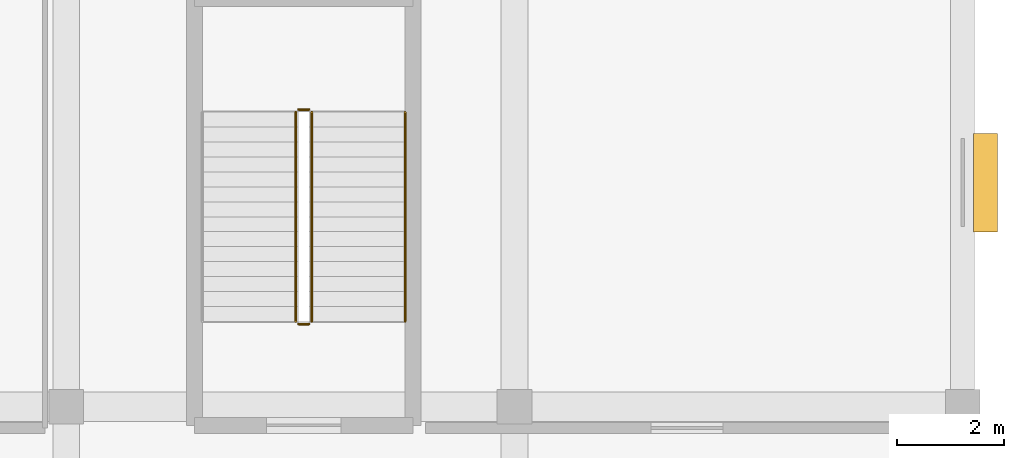
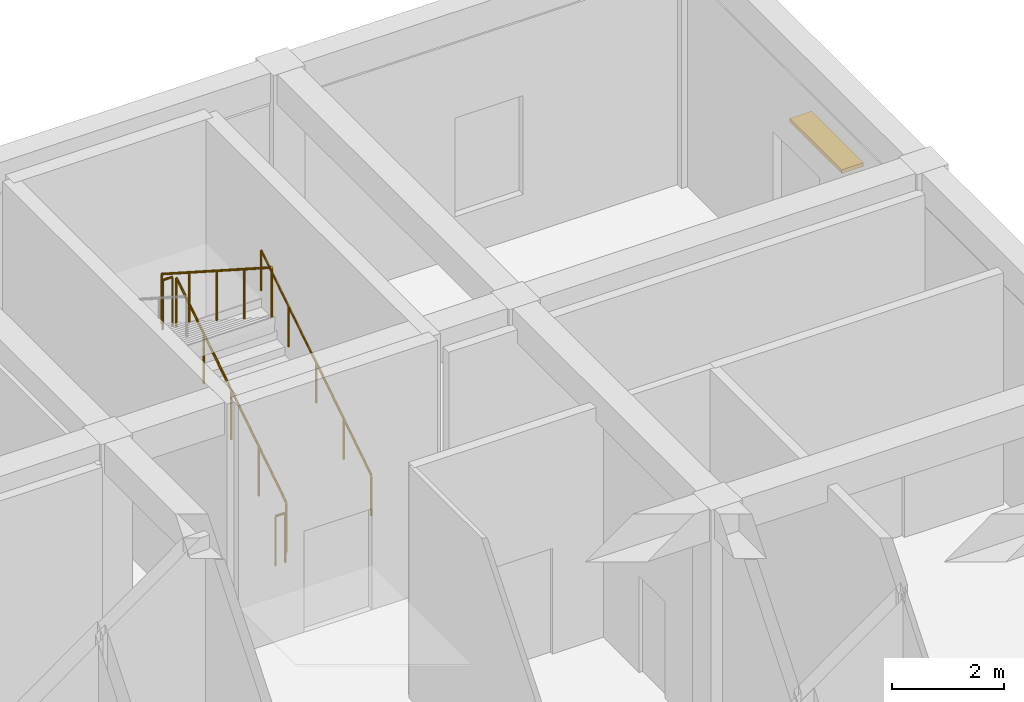
# One storey, part 157 of 157: 5 railings, 1 shading device.
"""IFC4 building model written with IfcOpenShell, lengths in metres."""

import ifcopenshell
import ifcopenshell.guid

model = None  # the IFC model being written
_history = None  # IfcOwnerHistory: only IFC2X3 demands one
_inside = {}  # id of a spatial element -> (the spatial element, [elements in it])
_under = {}  # id of a project, library or spatial element -> (it, [spatial elements below it])
_declared = {}  # id of a project -> (the project, [libraries it declares])
_typed = {}  # id of a type object -> (the type object, [elements of that type])
_made_of = {}  # id of a material, layer set ... -> (it, [elements and type objects made of it])


def new_model(schema):
    """Start an empty IFC model of exactly this schema.

    Asked for "IFC4X3", IfcOpenShell would pick the latest addendum, in which some entities
    have other attributes; the version numbers below select the first issue.
    IFC2X3 requires an IfcOwnerHistory on every rooted entity: one is made here for all.
    """
    global model, _history
    if schema == "IFC4X3":
        model = ifcopenshell.file(schema_version=(4, 3, 0, 0))
    else:
        model = ifcopenshell.file(schema=schema)
    _inside.clear()
    _under.clear()
    _declared.clear()
    _typed.clear()
    _made_of.clear()
    _history = None
    if model.schema == "IFC2X3":
        org = make("IfcOrganization", Name="unknown")
        user = make(
            "IfcPersonAndOrganization",
            ThePerson=make("IfcPerson", FamilyName="unknown"),
            TheOrganization=org,
        )
        app = make(
            "IfcApplication",
            ApplicationDeveloper=org,
            Version="unknown",
            ApplicationFullName="unknown",
            ApplicationIdentifier="unknown",
        )
        _history = make(
            "IfcOwnerHistory",
            OwningUser=user,
            OwningApplication=app,
            ChangeAction="ADDED",
            CreationDate=0,
        )
    return model


def make(cls, **values):
    """One entity of the class cls with the attributes given. An attribute that is None is left unset."""
    return model.create_entity(
        cls, **{name: value for name, value in values.items() if value is not None}
    )


def rooted(cls, **values):
    """An entity with a GlobalId (a new one), such as an element, a storey or a relation."""
    return make(cls, GlobalId=ifcopenshell.guid.new(), OwnerHistory=_history, **values)


def si_unit(unit_type, name, prefix=None):
    """IfcSIUnit, for example si_unit("LENGTHUNIT", "METRE", prefix="MILLI")."""
    return make("IfcSIUnit", UnitType=unit_type, Prefix=prefix, Name=name)


def assignment(units):
    """IfcUnitAssignment: the units of a project."""
    return None if units is None else make("IfcUnitAssignment", Units=units)


def point(xyz):
    """IfcCartesianPoint."""
    return None if xyz is None else make("IfcCartesianPoint", Coordinates=xyz)


def direction(xyz):
    """IfcDirection."""
    return None if xyz is None else make("IfcDirection", DirectionRatios=xyz)


def frame(location, z_axis=None, x_axis=None):
    """IfcAxis2Placement3D, a coordinate frame: its origin and axes. An axis left out is left unset."""
    return make(
        "IfcAxis2Placement3D",
        Location=point(location),
        Axis=direction(z_axis),
        RefDirection=direction(x_axis),
    )


def frame_2d(location, x_axis=None):
    """IfcAxis2Placement2D, a coordinate frame in the plane: its origin and x axis."""
    return make(
        "IfcAxis2Placement2D", Location=point(location), RefDirection=direction(x_axis)
    )


def origin():
    """The frame at (0, 0, 0) with its axes left unset."""
    return frame((0.0, 0.0, 0.0))


def origin_2d():
    """The frame at (0, 0) in the plane with its x axis left unset."""
    return frame_2d((0.0, 0.0))


def place(relative_to, where):
    """IfcLocalPlacement: puts the frame where relative to a parent placement (None: the world)."""
    return make(
        "IfcLocalPlacement", PlacementRelTo=relative_to, RelativePlacement=where
    )


def context(
    kind, dimensions, precision=None, world=None, true_north=None, identifier=None
):
    """IfcGeometricRepresentationContext, for example the 3D "Model" context."""
    return make(
        "IfcGeometricRepresentationContext",
        ContextIdentifier=identifier,
        ContextType=kind,
        CoordinateSpaceDimension=dimensions,
        Precision=precision,
        WorldCoordinateSystem=world,
        TrueNorth=true_north,
    )


def subcontext(parent, identifier, kind, view, scale=None):
    """IfcGeometricRepresentationSubContext, for example "Body" below "Model"."""
    return make(
        "IfcGeometricRepresentationSubContext",
        ContextIdentifier=identifier,
        ContextType=kind,
        ParentContext=parent,
        TargetScale=scale,
        TargetView=view,
    )


def project(units=None, contexts=None):
    """IfcProject with its units and contexts."""
    return rooted(
        "IfcProject",
        Name="project",
        RepresentationContexts=contexts,
        UnitsInContext=assignment(units),
    )


def spatial(cls, under=None, at=None, **own):
    """A site, building, storey or space (cls), placed at a placement, below another one or the project."""
    s = rooted(cls, ObjectPlacement=at, **own)
    if under is not None:
        _under.setdefault(under.id(), (under, []))[1].append(s)
    return s


def profile(cls, at=None, kind="AREA", **sizes):
    """A parametric profile (cls). Its sizes go by their IFC names, for example OverallWidth=200.0."""
    return make(cls, ProfileType=kind, Position=at, **sizes)


def rectangle(**sizes):
    """IfcRectangleProfileDef."""
    return profile("IfcRectangleProfileDef", **sizes)


def circle(**sizes):
    """IfcCircleProfileDef."""
    return profile("IfcCircleProfileDef", **sizes)


def extrude(swept, where, along, depth):
    """IfcExtrudedAreaSolid: the profile swept, set in the frame where, extruded along a direction by depth."""
    return make(
        "IfcExtrudedAreaSolid",
        SweptArea=swept,
        Position=where,
        ExtrudedDirection=direction(along),
        Depth=depth,
    )


def shape(context_of_items, identifier, shape_type, items):
    """IfcShapeRepresentation: the items that make up one representation, for example the "Body"."""
    return make(
        "IfcShapeRepresentation",
        ContextOfItems=context_of_items,
        RepresentationIdentifier=identifier,
        RepresentationType=shape_type,
        Items=items,
    )


def material(Name=None, Category=None):
    """IfcMaterial."""
    return make("IfcMaterial", Name=Name, Category=Category)


def layer(
    of_material, thickness, ventilated=None, Name=None, Category=None, Priority=None
):
    """IfcMaterialLayer: one layer of a wall or slab, of a material (None: an air gap)."""
    return make(
        "IfcMaterialLayer",
        Material=of_material,
        LayerThickness=thickness,
        IsVentilated=ventilated,
        Name=Name,
        Category=Category,
        Priority=Priority,
    )


def layer_set(layers, Name=None):
    """IfcMaterialLayerSet."""
    return make("IfcMaterialLayerSet", MaterialLayers=layers, LayerSetName=Name)


def made_of(thing, what):
    """Note that an element or type object is made of a material, layer set ...; save() writes the relation."""
    if what is not None:
        _made_of.setdefault(what.id(), (what, []))[1].append(thing)
    return thing


def type_object(cls, material=None, **own):
    """A type object (cls), such as IfcWallType, which elements share."""
    return made_of(rooted(cls, **own), material)


def element(
    cls,
    number,
    at=None,
    inside=None,
    cuts=None,
    type_object=None,
    material=None,
    context=None,
    identifier="Body",
    shape_type=None,
    held_by="IfcProductDefinitionShape",
    body=None,
    shapes=None,
    **own,
):
    """One element of the class cls, such as IfcWall. Its Tag is "e" and its number.

    at: its placement. inside: the storey or other place that contains it. cuts: it is an
    opening in that element (IfcRelVoidsElement). A single representation is given by context,
    identifier, shape_type and body (its items); several are given by shapes. held_by: the class
    of the entity that holds the representations. save() writes the other relations.
    """
    e = rooted(cls, Tag="e%d" % number, ObjectPlacement=at, **own)
    if body is not None:
        shapes = [shape(context, identifier, shape_type, body)]
    if shapes is not None:
        e.Representation = make(held_by, Representations=shapes)
    if inside is not None:
        _inside.setdefault(inside.id(), (inside, []))[1].append(e)
    if cuts is not None:
        rooted(
            "IfcRelVoidsElement", RelatingBuildingElement=cuts, RelatedOpeningElement=e
        )
    if type_object is not None:
        _typed.setdefault(type_object.id(), (type_object, []))[1].append(e)
    return made_of(e, material)


def aggregate(whole, parts):
    """IfcRelAggregates: a whole, such as a stair, and the parts it consists of."""
    return rooted("IfcRelAggregates", RelatingObject=whole, RelatedObjects=parts)


def save(model, path):
    """Write the relations noted so far, then the file.

    IfcRelAggregates (storeys below a building ...), IfcRelContainedInSpatialStructure (elements
    in a storey), IfcRelDefinesByType, IfcRelAssociatesMaterial and IfcRelDeclares: one each for
    every whole, place, type object, material and project.
    """
    for whole, parts in _under.values():
        aggregate(whole, parts)
    for where, things in _inside.values():
        rooted(
            "IfcRelContainedInSpatialStructure",
            RelatedElements=things,
            RelatingStructure=where,
        )
    for kind, things in _typed.values():
        rooted("IfcRelDefinesByType", RelatedObjects=things, RelatingType=kind)
    for what, things in _made_of.values():
        rooted("IfcRelAssociatesMaterial", RelatedObjects=things, RelatingMaterial=what)
    for by, libraries in _declared.values():
        rooted("IfcRelDeclares", RelatingContext=by, RelatedDefinitions=libraries)
    model.write(path)


model = new_model("IFC4")

# Units and contexts
model_context = context("Model", 3, precision=1e-05, world=origin(), true_north=direction((0.0, 1.0)))
body_context = subcontext(model_context, "Body", "Model", "MODEL_VIEW")
ifc_project = project(units=[si_unit("LENGTHUNIT", "METRE"), si_unit("AREAUNIT", "SQUARE_METRE"), si_unit("VOLUMEUNIT", "CUBIC_METRE"), si_unit("PLANEANGLEUNIT", "RADIAN"), si_unit("MASSUNIT", "GRAM", prefix="KILO")], contexts=[model_context])

# Site, building, storey
site_placement = place(None, origin())
site = spatial("IfcSite", under=ifc_project, at=site_placement, CompositionType="ELEMENT")
building_placement = place(site_placement, origin())
building = spatial("IfcBuilding", under=site, at=building_placement, Name="Varncliffe General Hospital", CompositionType="ELEMENT")
storey_placement = place(building_placement, frame((0.0, 0.0, 5.39990234375)))
storey = spatial("IfcBuildingStorey", under=building, at=storey_placement, Name="L01", CompositionType="ELEMENT", Elevation=5.39990234375)

# Shading device
ifc_material_1 = material(Name="Dark bronze extruded aluminium solar jalousie louvres", Category="aluminium")
ifc_layer = layer(ifc_material_1, 0.080078125)
ifc_layer_set = layer_set([ifc_layer], Name="Dark bronze extruded aluminium solar jalousie louvres")
shading_device_type = type_object("IfcShadingDeviceType", Name="Bronze Solar Jalousie Louvre Hood SHD18", PredefinedType="JALOUSIE", material=ifc_layer_set)
shading_device_placement = place(storey_placement, frame((176.824951171875, 120.60009765625, 3.06005859375), z_axis=(0.0, 0.0, 1.0), x_axis=(0.0, -1.0, 0.0)))
element("IfcShadingDevice", 1, at=shading_device_placement, inside=storey, type_object=shading_device_type, Name="L01 Bronze Window Sun-Shading Louvre 29", PredefinedType="JALOUSIE", context=body_context, shape_type="SweptSolid", body=[
    extrude(rectangle(XDim=1.85009765625, YDim=0.449951171875, at=origin_2d()), origin(), (0.0, 0.0, 1.0), 0.080078125),
])

# Railings
ifc_material_2 = material(Name="Powder-coated hospital steel guardrail and handrail", Category="steel")
railing_type_1 = type_object("IfcRailingType", Name="Stair and Ramp Handrail HR46", PredefinedType="HANDRAIL", material=ifc_material_2)
railing_1_placement = place(storey_placement, frame((165.949951171875, 118.0, 0.364013671875)))
element("IfcRailing", 2, at=railing_1_placement, inside=storey, type_object=railing_type_1, Name="L01 ST04 stair handrail 1", PredefinedType="HANDRAIL", context=body_context, shape_type="SweptSolid", body=[
    extrude(circle(Radius=0.02392578125, at=origin_2d()), frame((0.0, 0.0, 0.8759765625), z_axis=(0.0, 0.841171666519, 0.540768182723), x_axis=(-1.0, 0.0, 0.0)), (0.0, 0.0, 1.0), 4.66015625),
    extrude(circle(Radius=0.02099609375, at=origin_2d()), origin(), (0.0, 0.0, 1.0), 0.851806640625),
    extrude(circle(Radius=0.02099609375, at=origin_2d()), frame((0.0, 0.97998046875, 0.6298828125)), (0.0, 0.0, 1.0), 0.851806640625),
    extrude(circle(Radius=0.02099609375, at=origin_2d()), frame((0.0, 1.9599609375, 1.260009765625)), (0.0, 0.0, 1.0), 0.851806640625),
    extrude(circle(Radius=0.02099609375, at=origin_2d()), frame((0.0, 2.93994140625, 1.89013671875)), (0.0, 0.0, 1.0), 0.851806640625),
    extrude(circle(Radius=0.02099609375, at=origin_2d()), frame((0.0, 3.919921875, 2.52001953125)), (0.0, 0.0, 1.0), 0.851806640625),
])
railing_type_2 = type_object("IfcRailingType", Name="Stairwell Guardrail SG49", PredefinedType="GUARDRAIL", material=ifc_material_2)
railing_2_placement = place(storey_placement, frame((164.199951171875, 118.0, 0.18017578125)))
element("IfcRailing", 3, at=railing_2_placement, inside=storey, type_object=railing_type_2, Name="L01 ST04 stair guard 1", PredefinedType="GUARDRAIL", context=body_context, shape_type="SweptSolid", body=[
    extrude(circle(Radius=0.02392578125, at=origin_2d()), frame((0.0, 0.0, 1.076171875), z_axis=(0.0, 0.841171666519, 0.540768182723), x_axis=(-1.0, 0.0, 0.0)), (0.0, 0.0, 1.0), 4.66015625),
    extrude(circle(Radius=0.02099609375, at=origin_2d()), origin(), (0.0, 0.0, 1.0), 1.052001953125),
    extrude(circle(Radius=0.02099609375, at=origin_2d()), frame((0.0, 0.97998046875, 0.6298828125)), (0.0, 0.0, 1.0), 1.052001953125),
    extrude(circle(Radius=0.02099609375, at=origin_2d()), frame((0.0, 1.9599609375, 1.260009765625)), (0.0, 0.0, 1.0), 1.052001953125),
    extrude(circle(Radius=0.02099609375, at=origin_2d()), frame((0.0, 2.93994140625, 1.89013671875)), (0.0, 0.0, 1.0), 1.052001953125),
    extrude(circle(Radius=0.02099609375, at=origin_2d()), frame((0.0, 3.919921875, 2.52001953125)), (0.0, 0.0, 1.0), 1.052001953125),
])
railing_3_placement = place(storey_placement, frame((164.14990234375, 121.969970703125, 2.7001953125)))
element("IfcRailing", 4, at=railing_3_placement, inside=storey, type_object=railing_type_2, Name="L01 ST04 stair guard 2", PredefinedType="GUARDRAIL", context=body_context, shape_type="SweptSolid", body=[
    extrude(circle(Radius=0.02392578125, at=origin_2d()), frame((0.0, 0.0, 1.076171875), z_axis=(-1.0, 0.0, 0.0), x_axis=(0.0, -1.0, 0.0)), (0.0, 0.0, 1.0), 0.199951171875),
    extrude(circle(Radius=0.02099609375, at=origin_2d()), origin(), (0.0, 0.0, 1.0), 1.052001953125),
    extrude(circle(Radius=0.02099609375, at=origin_2d()), frame((-0.199951171875, 0.0, 0.0)), (0.0, 0.0, 1.0), 1.052001953125),
])
railing_4_placement = place(storey_placement, frame((163.89990234375, 121.919921875, 2.880126953125)))
element("IfcRailing", 5, at=railing_4_placement, inside=storey, type_object=railing_type_2, Name="L01 ST04 stair guard 3", PredefinedType="GUARDRAIL", context=body_context, shape_type="SweptSolid", body=[
    extrude(circle(Radius=0.02392578125, at=origin_2d()), frame((0.0, 0.0, 1.076171875), z_axis=(0.0, -0.841171666519, 0.540768182723), x_axis=(1.0, 0.0, 0.0)), (0.0, 0.0, 1.0), 4.66015625),
    extrude(circle(Radius=0.02099609375, at=origin_2d()), origin(), (0.0, 0.0, 1.0), 1.052001953125),
    extrude(circle(Radius=0.02099609375, at=origin_2d()), frame((0.0, -0.97998046875, 0.6298828125)), (0.0, 0.0, 1.0), 1.052001953125),
    extrude(circle(Radius=0.02099609375, at=origin_2d()), frame((0.0, -1.9599609375, 1.260009765625)), (0.0, 0.0, 1.0), 1.052001953125),
    extrude(circle(Radius=0.02099609375, at=origin_2d()), frame((0.0, -2.93994140625, 1.89013671875)), (0.0, 0.0, 1.0), 1.052001953125),
    extrude(circle(Radius=0.02099609375, at=origin_2d()), frame((0.0, -3.919921875, 2.52001953125)), (0.0, 0.0, 1.0), 1.052001953125),
])
railing_5_placement = place(storey_placement, frame((164.14990234375, 117.949951171875, 0.0)))
element("IfcRailing", 6, at=railing_5_placement, inside=storey, type_object=railing_type_2, Name="L01 ST04 stair guard 4", PredefinedType="GUARDRAIL", context=body_context, shape_type="SweptSolid", body=[
    extrude(circle(Radius=0.02392578125, at=origin_2d()), frame((0.0, 0.0, 1.076171875), z_axis=(-1.0, 0.0, 0.0), x_axis=(0.0, -1.0, 0.0)), (0.0, 0.0, 1.0), 0.199951171875),
    extrude(circle(Radius=0.02099609375, at=origin_2d()), origin(), (0.0, 0.0, 1.0), 1.052001953125),
    extrude(circle(Radius=0.02099609375, at=origin_2d()), frame((-0.199951171875, 0.0, 0.0)), (0.0, 0.0, 1.0), 1.052001953125),
])

save(model, "model.ifc")
